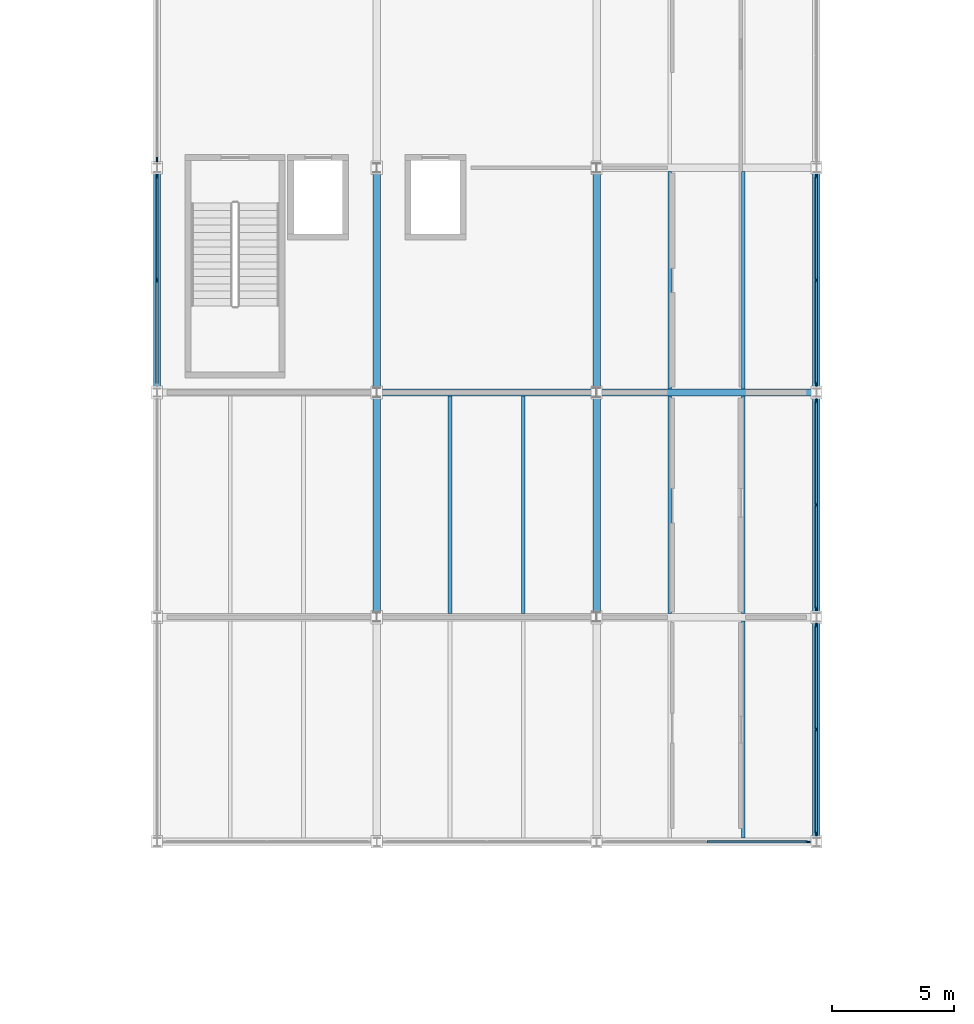
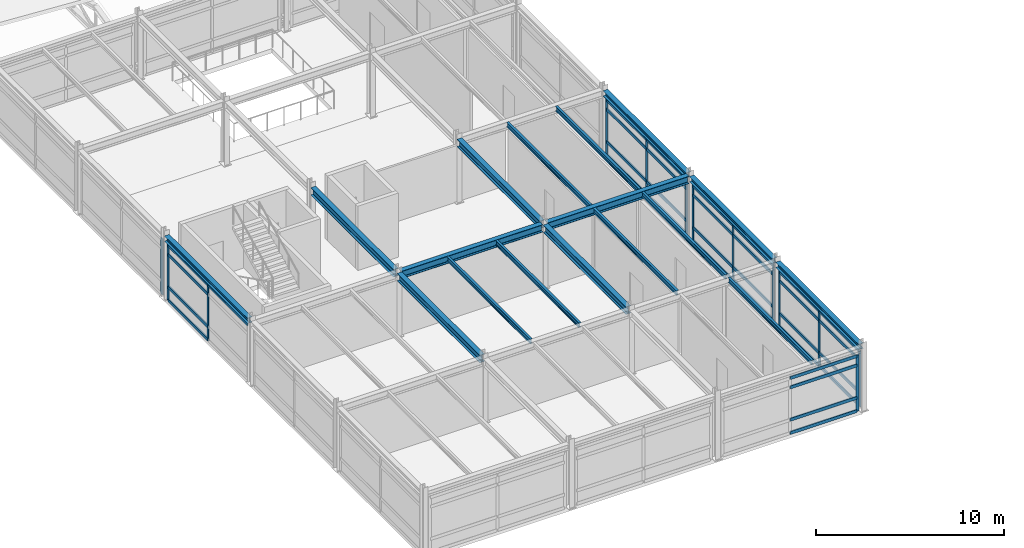
# One storey, part 18 of 55: 46 members, 17 beams, 6 elements without a shape of their own.
"""IFC4 building model written with IfcOpenShell, lengths in metres."""

from ifc_helpers import new_model, si_unit, direction, frame, origin, origin_2d, place, context, subcontext, project, spatial, rectangle, i_section, extrude, material, material_profile, profile_set, type_object, element, aggregate, save


model = new_model("IFC4")

# Units and contexts
model_context = context("Model", 3, precision=1e-05, world=origin(), true_north=direction((0.0, 1.0)))
body_context = subcontext(model_context, "Body", "Model", "MODEL_VIEW")
ifc_project = project(units=[si_unit("LENGTHUNIT", "METRE"), si_unit("AREAUNIT", "SQUARE_METRE"), si_unit("VOLUMEUNIT", "CUBIC_METRE"), si_unit("PLANEANGLEUNIT", "RADIAN"), si_unit("MASSUNIT", "GRAM", prefix="KILO")], contexts=[model_context])

# Site, building, storey
site_placement = place(None, origin())
site = spatial("IfcSite", under=ifc_project, at=site_placement, CompositionType="ELEMENT")
building_placement = place(site_placement, origin())
building = spatial("IfcBuilding", under=site, at=building_placement, Name="Bozkorgan Art Gallery", CompositionType="ELEMENT")
storey_placement = place(building_placement, frame((0.0, 0.0, 15.0)))
storey = spatial("IfcBuildingStorey", under=building, at=storey_placement, Name="L03", CompositionType="ELEMENT", Elevation=15.0)

# Beams
ifc_material_1 = material(Name="Steel S355J2", Category="steel")
ifc_material_profile_1 = material_profile(ifc_material_1, i_section(OverallWidth=0.300048828125, OverallDepth=0.489990234375, WebThickness=0.011962890625, FlangeThickness=0.02294921875, FilletRadius=0.027099609375, at=origin_2d()), Name="HEA 500")
ifc_profile_set_1 = profile_set([ifc_material_profile_1], Name="Steel S355J2")
beam_type_1 = type_object("IfcBeamType", Name="BEAM-BM-42", PredefinedType="BEAM", material=ifc_profile_set_1)
for number, where, z_axis, x_axis, name in (
    (1, (83.14990234375, 56.800048828125, 3.93505859375), (1.0, 0.0, 0.0), (0.0, 1.0, 0.0), "V4 L03 beam X (83-92, 56.8)"),
    (2, (92.14990234375, 56.800048828125, 3.93505859375), (1.0, 0.0, 0.0), (0.0, 1.0, 0.0), "V4 L03 beam X (92-101, 56.8)"),
):
    element("IfcBeam", number, at=place(storey_placement, frame(where, z_axis=z_axis, x_axis=x_axis)), inside=storey, type_object=beam_type_1, Name=name, PredefinedType="BEAM", context=body_context, shape_type="SweptSolid", body=[
        extrude(i_section(OverallWidth=0.300048828125, OverallDepth=0.489990234375, WebThickness=0.011962890625, FlangeThickness=0.02294921875, FilletRadius=0.027099609375, at=origin_2d()), origin(), (0.0, 0.0, 1.0), 8.7001953125),
    ])
beam_1_placement = place(storey_placement, frame((83.0, 47.794921875, 3.93505859375), z_axis=(0.0, 1.0, 0.0), x_axis=(-1.0, 0.0, 0.0)))
element("IfcBeam", 3, at=beam_1_placement, inside=storey, type_object=beam_type_1, Name="V4 L03 beam Y (83, 47.6-56.8)", PredefinedType="BEAM", context=body_context, shape_type="SweptSolid", body=[
    extrude(i_section(OverallWidth=0.300048828125, OverallDepth=0.489990234375, WebThickness=0.011962890625, FlangeThickness=0.02294921875, FilletRadius=0.027099609375, at=origin_2d()), origin(), (0.0, 0.0, 1.0), 8.81005859375),
])
beam_2_placement = place(storey_placement, frame((83.0, 56.9951171875, 3.93505859375), z_axis=(0.0, 1.0, 0.0), x_axis=(-1.0, 0.0, 0.0)))
element("IfcBeam", 4, at=beam_2_placement, inside=storey, type_object=beam_type_1, Name="V4 L03 beam Y (83, 56.8-66.0)", PredefinedType="BEAM", context=body_context, shape_type="SweptSolid", body=[
    extrude(i_section(OverallWidth=0.300048828125, OverallDepth=0.489990234375, WebThickness=0.011962890625, FlangeThickness=0.02294921875, FilletRadius=0.027099609375, at=origin_2d()), origin(), (0.0, 0.0, 1.0), 8.809814453125),
])
beam_3_placement = place(storey_placement, frame((92.0, 47.794921875, 3.93505859375), z_axis=(0.0, 1.0, 0.0), x_axis=(-1.0, 0.0, 0.0)))
element("IfcBeam", 5, at=beam_3_placement, inside=storey, type_object=beam_type_1, Name="V4 L03 beam Y (92, 47.6-56.8)", PredefinedType="BEAM", context=body_context, shape_type="SweptSolid", body=[
    extrude(i_section(OverallWidth=0.300048828125, OverallDepth=0.489990234375, WebThickness=0.011962890625, FlangeThickness=0.02294921875, FilletRadius=0.027099609375, at=origin_2d()), origin(), (0.0, 0.0, 1.0), 8.81005859375),
])
beam_4_placement = place(storey_placement, frame((92.0, 56.9951171875, 3.93505859375), z_axis=(0.0, 1.0, 0.0), x_axis=(-1.0, 0.0, 0.0)))
element("IfcBeam", 6, at=beam_4_placement, inside=storey, type_object=beam_type_1, Name="V4 L03 beam Y (92, 56.8-66.0)", PredefinedType="BEAM", context=body_context, shape_type="SweptSolid", body=[
    extrude(i_section(OverallWidth=0.300048828125, OverallDepth=0.489990234375, WebThickness=0.011962890625, FlangeThickness=0.02294921875, FilletRadius=0.027099609375, at=origin_2d()), origin(), (0.0, 0.0, 1.0), 8.809814453125),
])
ifc_material_profile_2 = material_profile(ifc_material_1, i_section(OverallWidth=0.14990234375, OverallDepth=0.300048828125, WebThickness=0.007080078125, FlangeThickness=0.0107421875, FilletRadius=0.014892578125, at=origin_2d()), Name="IPE 300")
ifc_profile_set_2 = profile_set([ifc_material_profile_2], Name="Steel S355J2")
beam_type_2 = type_object("IfcBeamType", Name="BEAM-JS-88", PredefinedType="JOIST", material=ifc_profile_set_2)
for number, where, z_axis, x_axis, name in (
    (7, (86.0, 47.75, 4.030029296875), (0.0, 1.0, 0.0), (-1.0, 0.0, 0.0), "V4 L03 secondary joist (83-92, 47.6-56.8) #1"),
    (8, (89.0, 47.75, 4.030029296875), (0.0, 1.0, 0.0), (-1.0, 0.0, 0.0), "V4 L03 secondary joist (83-92, 47.6-56.8) #2"),
    (9, (98.0, 38.550048828125, 4.030029296875), (0.0, 1.0, 0.0), (-1.0, 0.0, 0.0), "V4 L03 secondary joist (92-101, 38.4-47.6) #2"),
    (10, (95.0, 47.75, 4.030029296875), (0.0, 1.0, 0.0), (-1.0, 0.0, 0.0), "V4 L03 secondary joist (92-101, 47.6-56.8) #1"),
    (11, (98.0, 47.75, 4.030029296875), (0.0, 1.0, 0.0), (-1.0, 0.0, 0.0), "V4 L03 secondary joist (92-101, 47.6-56.8) #2"),
):
    element("IfcBeam", number, at=place(storey_placement, frame(where, z_axis=z_axis, x_axis=x_axis)), inside=storey, type_object=beam_type_2, Name=name, PredefinedType="JOIST", context=body_context, shape_type="SweptSolid", body=[
        extrude(i_section(OverallWidth=0.14990234375, OverallDepth=0.300048828125, WebThickness=0.007080078125, FlangeThickness=0.0107421875, FilletRadius=0.014892578125, at=origin_2d()), origin(), (0.0, 0.0, 1.0), 8.89990234375),
    ])
for number, where, z_axis, x_axis, name in (
    (12, (95.0, 56.949951171875, 4.030029296875), (0.0, 1.0, 0.0), (-1.0, 0.0, 0.0), "V4 L03 secondary joist (92-101, 56.8-66.0) #1"),
    (13, (98.0, 56.949951171875, 4.030029296875), (0.0, 1.0, 0.0), (-1.0, 0.0, 0.0), "V4 L03 secondary joist (92-101, 56.8-66.0) #2"),
):
    element("IfcBeam", number, at=place(storey_placement, frame(where, z_axis=z_axis, x_axis=x_axis)), inside=storey, type_object=beam_type_2, Name=name, PredefinedType="JOIST", context=body_context, shape_type="SweptSolid", body=[
        extrude(i_section(OverallWidth=0.14990234375, OverallDepth=0.300048828125, WebThickness=0.007080078125, FlangeThickness=0.0107421875, FilletRadius=0.014892578125, at=origin_2d()), origin(), (0.0, 0.0, 1.0), 8.900146484375),
    ])
ifc_material_profile_3 = material_profile(ifc_material_1, i_section(OverallWidth=0.300048828125, OverallDepth=0.35009765625, WebThickness=0.010009765625, FlangeThickness=0.017578125, FilletRadius=0.027099609375, at=origin_2d()), Name="HEA 360")
ifc_profile_set_3 = profile_set([ifc_material_profile_3], Name="Steel S355J2")
beam_type_3 = type_object("IfcBeamType", Name="BEAM-SP-97", PredefinedType="SPANDREL", material=ifc_profile_set_3)
beam_5_placement = place(storey_placement, frame((74.0, 56.97998046875, 4.0048828125), z_axis=(0.0, 1.0, 0.0), x_axis=(-1.0, 0.0, 0.0)))
element("IfcBeam", 14, at=beam_5_placement, inside=storey, type_object=beam_type_3, Name="V4 L03 spandrel Y (74, 56.8-66.0)", PredefinedType="SPANDREL", context=body_context, shape_type="SweptSolid", body=[
    extrude(i_section(OverallWidth=0.300048828125, OverallDepth=0.35009765625, WebThickness=0.010009765625, FlangeThickness=0.017578125, FilletRadius=0.027099609375, at=origin_2d()), origin(), (0.0, 0.0, 1.0), 8.840087890625),
])
beam_6_placement = place(storey_placement, frame((101.0, 38.580078125, 4.0048828125), z_axis=(0.0, 1.0, 0.0), x_axis=(-1.0, 0.0, 0.0)))
element("IfcBeam", 15, at=beam_6_placement, inside=storey, type_object=beam_type_3, Name="V4 L03 spandrel Y (101, 38.4-47.6)", PredefinedType="SPANDREL", context=body_context, shape_type="SweptSolid", body=[
    extrude(i_section(OverallWidth=0.300048828125, OverallDepth=0.35009765625, WebThickness=0.010009765625, FlangeThickness=0.017578125, FilletRadius=0.027099609375, at=origin_2d()), origin(), (0.0, 0.0, 1.0), 8.83984375),
])
for number, where, z_axis, x_axis, name in (
    (16, (101.0, 47.780029296875, 4.0048828125), (0.0, 1.0, 0.0), (-1.0, 0.0, 0.0), "V4 L03 spandrel Y (101, 47.6-56.8)"),
    (17, (101.0, 56.97998046875, 4.0048828125), (0.0, 1.0, 0.0), (-1.0, 0.0, 0.0), "V4 L03 spandrel Y (101, 56.8-66.0)"),
):
    element("IfcBeam", number, at=place(storey_placement, frame(where, z_axis=z_axis, x_axis=x_axis)), inside=storey, type_object=beam_type_3, Name=name, PredefinedType="SPANDREL", context=body_context, shape_type="SweptSolid", body=[
        extrude(i_section(OverallWidth=0.300048828125, OverallDepth=0.35009765625, WebThickness=0.010009765625, FlangeThickness=0.017578125, FilletRadius=0.027099609375, at=origin_2d()), origin(), (0.0, 0.0, 1.0), 8.840087890625),
    ])

# Curtain wall, member
ifc_material_2 = material(Name="Anodised Bronze Aluminium", Category="aluminium")
curtain_wall_type_1 = type_object("IfcCurtainWallType", Name="CW-CW-32", PredefinedType="NOTDEFINED", material=ifc_material_2)
curtain_wall_1_placement = place(storey_placement, origin())
curtain_wall_1 = element("IfcCurtainWall", 18, at=curtain_wall_1_placement, inside=storey, type_object=curtain_wall_type_1, Name="L03 unitised curtain wall CW-V4-L03-1S-05", PredefinedType="NOTDEFINED")
ifc_material_profile_4 = material_profile(ifc_material_2, rectangle(XDim=0.06494140625, YDim=0.179931640625, at=origin_2d()), Name="ALU MULLION 65x180")
ifc_profile_set_4 = profile_set([ifc_material_profile_4], Name="Anodised Bronze Aluminium")
member_type_1 = type_object("IfcMemberType", Name="CWM-01", PredefinedType="MULLION", material=ifc_profile_set_4)
member_1_placement = place(storey_placement, frame((100.652587890625, 38.39990234375, 0.02001953125), z_axis=(0.0, 0.0, 1.0), x_axis=(0.0, 1.0, 0.0)))
member_1 = element("IfcMember", 19, at=member_1_placement, type_object=member_type_1, Name="CW-32 mullion 3", PredefinedType="MULLION", context=body_context, shape_type="SweptSolid", body=[
    extrude(rectangle(XDim=0.06494140625, YDim=0.179931640625, at=origin_2d()), origin(), (0.0, 0.0, 1.0), 3.655029296875),
])

# Curtain wall, members
curtain_wall_type_2 = type_object("IfcCurtainWallType", Name="CW-CW-59", PredefinedType="NOTDEFINED", material=ifc_material_2)
curtain_wall_2_placement = place(storey_placement, origin())
curtain_wall_2 = element("IfcCurtainWall", 20, at=curtain_wall_2_placement, inside=storey, type_object=curtain_wall_type_2, Name="L03 unitised curtain wall CW-V4-L03-1E-08", PredefinedType="NOTDEFINED")
member_2_placement = place(storey_placement, frame((101.0, 38.74755859375, 0.02001953125), z_axis=(0.0, 0.0, 1.0), x_axis=(-1.0, 0.0, 0.0)))
member_2 = element("IfcMember", 21, at=member_2_placement, type_object=member_type_1, Name="CW-59 mullion 1", PredefinedType="MULLION", context=body_context, shape_type="SweptSolid", body=[
    extrude(rectangle(XDim=0.06494140625, YDim=0.179931640625, at=origin_2d()), origin(), (0.0, 0.0, 1.0), 3.655029296875),
])
member_3_placement = place(storey_placement, frame((101.0, 43.0, 0.02001953125), z_axis=(0.0, 0.0, 1.0), x_axis=(-1.0, 0.0, 0.0)))
member_3 = element("IfcMember", 22, at=member_3_placement, type_object=member_type_1, Name="CW-59 mullion 2", PredefinedType="MULLION", context=body_context, shape_type="SweptSolid", body=[
    extrude(rectangle(XDim=0.06494140625, YDim=0.179931640625, at=origin_2d()), origin(), (0.0, 0.0, 1.0), 3.655029296875),
])
member_4_placement = place(storey_placement, frame((101.0, 47.25244140625, 0.02001953125), z_axis=(0.0, 0.0, 1.0), x_axis=(-1.0, 0.0, 0.0)))
member_4 = element("IfcMember", 23, at=member_4_placement, type_object=member_type_1, Name="CW-59 mullion 3", PredefinedType="MULLION", context=body_context, shape_type="SweptSolid", body=[
    extrude(rectangle(XDim=0.06494140625, YDim=0.179931640625, at=origin_2d()), origin(), (0.0, 0.0, 1.0), 3.655029296875),
])

curtain_wall_3_placement = place(storey_placement, origin())
curtain_wall_3 = element("IfcCurtainWall", 24, at=curtain_wall_3_placement, inside=storey, type_object=curtain_wall_type_2, Name="L03 unitised curtain wall CW-V4-L03-1E-10", PredefinedType="NOTDEFINED")
member_5_placement = place(storey_placement, frame((101.0, 47.947509765625, 0.02001953125), z_axis=(0.0, 0.0, 1.0), x_axis=(-1.0, 0.0, 0.0)))
member_5 = element("IfcMember", 25, at=member_5_placement, type_object=member_type_1, Name="CW-59 mullion 1", PredefinedType="MULLION", context=body_context, shape_type="SweptSolid", body=[
    extrude(rectangle(XDim=0.06494140625, YDim=0.179931640625, at=origin_2d()), origin(), (0.0, 0.0, 1.0), 3.655029296875),
])
member_6_placement = place(storey_placement, frame((101.0, 52.199951171875, 0.02001953125), z_axis=(0.0, 0.0, 1.0), x_axis=(-1.0, 0.0, 0.0)))
member_6 = element("IfcMember", 26, at=member_6_placement, type_object=member_type_1, Name="CW-59 mullion 2", PredefinedType="MULLION", context=body_context, shape_type="SweptSolid", body=[
    extrude(rectangle(XDim=0.06494140625, YDim=0.179931640625, at=origin_2d()), origin(), (0.0, 0.0, 1.0), 3.655029296875),
])
member_7_placement = place(storey_placement, frame((101.0, 56.452392578125, 0.02001953125), z_axis=(0.0, 0.0, 1.0), x_axis=(-1.0, 0.0, 0.0)))
member_7 = element("IfcMember", 27, at=member_7_placement, type_object=member_type_1, Name="CW-59 mullion 3", PredefinedType="MULLION", context=body_context, shape_type="SweptSolid", body=[
    extrude(rectangle(XDim=0.06494140625, YDim=0.179931640625, at=origin_2d()), origin(), (0.0, 0.0, 1.0), 3.655029296875),
])

curtain_wall_4_placement = place(storey_placement, origin())
curtain_wall_4 = element("IfcCurtainWall", 28, at=curtain_wall_4_placement, inside=storey, type_object=curtain_wall_type_2, Name="L03 unitised curtain wall CW-V4-L03-1W-11", PredefinedType="NOTDEFINED")
member_8_placement = place(storey_placement, frame((74.0, 61.39990234375, 0.02001953125), z_axis=(0.0, 0.0, 1.0), x_axis=(-1.0, 0.0, 0.0)))
member_8 = element("IfcMember", 29, at=member_8_placement, type_object=member_type_1, Name="CW-59 mullion 2", PredefinedType="MULLION", context=body_context, shape_type="SweptSolid", body=[
    extrude(rectangle(XDim=0.06494140625, YDim=0.179931640625, at=origin_2d()), origin(), (0.0, 0.0, 1.0), 3.655029296875),
])
member_9_placement = place(storey_placement, frame((74.0, 65.652587890625, 0.02001953125), z_axis=(0.0, 0.0, 1.0), x_axis=(-1.0, 0.0, 0.0)))
member_9 = element("IfcMember", 30, at=member_9_placement, type_object=member_type_1, Name="CW-59 mullion 3", PredefinedType="MULLION", context=body_context, shape_type="SweptSolid", body=[
    extrude(rectangle(XDim=0.06494140625, YDim=0.179931640625, at=origin_2d()), origin(), (0.0, 0.0, 1.0), 3.655029296875),
])

curtain_wall_5_placement = place(storey_placement, origin())
curtain_wall_5 = element("IfcCurtainWall", 31, at=curtain_wall_5_placement, inside=storey, type_object=curtain_wall_type_2, Name="L03 unitised curtain wall CW-V4-L03-1E-12", PredefinedType="NOTDEFINED")
member_10_placement = place(storey_placement, frame((101.0, 57.1474609375, 0.02001953125), z_axis=(0.0, 0.0, 1.0), x_axis=(-1.0, 0.0, 0.0)))
member_10 = element("IfcMember", 32, at=member_10_placement, type_object=member_type_1, Name="CW-59 mullion 1", PredefinedType="MULLION", context=body_context, shape_type="SweptSolid", body=[
    extrude(rectangle(XDim=0.06494140625, YDim=0.179931640625, at=origin_2d()), origin(), (0.0, 0.0, 1.0), 3.655029296875),
])
member_11_placement = place(storey_placement, frame((101.0, 61.39990234375, 0.02001953125), z_axis=(0.0, 0.0, 1.0), x_axis=(-1.0, 0.0, 0.0)))
member_11 = element("IfcMember", 33, at=member_11_placement, type_object=member_type_1, Name="CW-59 mullion 2", PredefinedType="MULLION", context=body_context, shape_type="SweptSolid", body=[
    extrude(rectangle(XDim=0.06494140625, YDim=0.179931640625, at=origin_2d()), origin(), (0.0, 0.0, 1.0), 3.655029296875),
])
member_12_placement = place(storey_placement, frame((101.0, 65.652587890625, 0.02001953125), z_axis=(0.0, 0.0, 1.0), x_axis=(-1.0, 0.0, 0.0)))
member_12 = element("IfcMember", 34, at=member_12_placement, type_object=member_type_1, Name="CW-59 mullion 3", PredefinedType="MULLION", context=body_context, shape_type="SweptSolid", body=[
    extrude(rectangle(XDim=0.06494140625, YDim=0.179931640625, at=origin_2d()), origin(), (0.0, 0.0, 1.0), 3.655029296875),
])

# Curtain wall, member
curtain_wall_6_placement = place(storey_placement, origin())
curtain_wall_6 = element("IfcCurtainWall", 35, at=curtain_wall_6_placement, inside=storey, type_object=curtain_wall_type_2, Name="L03 unitised curtain wall CW-V4-L03-1W-13", PredefinedType="NOTDEFINED")
member_13_placement = place(storey_placement, frame((74.0, 66.347412109375, 0.02001953125), z_axis=(0.0, 0.0, 1.0), x_axis=(-1.0, 0.0, 0.0)))
member_13 = element("IfcMember", 36, at=member_13_placement, type_object=member_type_1, Name="CW-59 mullion 1", PredefinedType="MULLION", context=body_context, shape_type="SweptSolid", body=[
    extrude(rectangle(XDim=0.06494140625, YDim=0.179931640625, at=origin_2d()), origin(), (0.0, 0.0, 1.0), 3.655029296875),
])
aggregate(curtain_wall_6, [member_13])

# Member
ifc_material_profile_5 = material_profile(ifc_material_2, rectangle(XDim=0.080078125, YDim=0.199951171875, at=origin_2d()), Name="ALU TRANSOM 80x200")
ifc_profile_set_5 = profile_set([ifc_material_profile_5], Name="Anodised Bronze Aluminium")
member_type_2 = type_object("IfcMemberType", Name="CWT-03", PredefinedType="USERDEFINED", material=ifc_profile_set_5)
member_14_placement = place(storey_placement, frame((96.532470703125, 38.39990234375, 0.06005859375), z_axis=(1.0, 0.0, 0.0), x_axis=(0.0, 1.0, 0.0)))
member_14 = element("IfcMember", 37, at=member_14_placement, type_object=member_type_2, Name="CW-32 transom 2.1", ObjectType="TRANSOM", PredefinedType="USERDEFINED", context=body_context, shape_type="SweptSolid", body=[
    extrude(rectangle(XDim=0.080078125, YDim=0.199951171875, at=origin_2d()), origin(), (0.0, 0.0, 1.0), 4.087646484375),
])

member_15_placement = place(storey_placement, frame((96.532470703125, 38.39990234375, 0.919921875), z_axis=(1.0, 0.0, 0.0), x_axis=(0.0, 1.0, 0.0)))
member_15 = element("IfcMember", 38, at=member_15_placement, type_object=member_type_2, Name="CW-32 transom 2.2", ObjectType="TRANSOM", PredefinedType="USERDEFINED", context=body_context, shape_type="SweptSolid", body=[
    extrude(rectangle(XDim=0.080078125, YDim=0.199951171875, at=origin_2d()), origin(), (0.0, 0.0, 1.0), 4.087646484375),
])

member_16_placement = place(storey_placement, frame((96.532470703125, 38.39990234375, 3.02490234375), z_axis=(1.0, 0.0, 0.0), x_axis=(0.0, 1.0, 0.0)))
member_16 = element("IfcMember", 39, at=member_16_placement, type_object=member_type_2, Name="CW-32 transom 2.3", ObjectType="TRANSOM", PredefinedType="USERDEFINED", context=body_context, shape_type="SweptSolid", body=[
    extrude(rectangle(XDim=0.080078125, YDim=0.199951171875, at=origin_2d()), origin(), (0.0, 0.0, 1.0), 4.087646484375),
])

member_17_placement = place(storey_placement, frame((96.532470703125, 38.39990234375, 3.635009765625), z_axis=(1.0, 0.0, 0.0), x_axis=(0.0, 1.0, 0.0)))
member_17 = element("IfcMember", 40, at=member_17_placement, type_object=member_type_2, Name="CW-32 transom 2.4", ObjectType="TRANSOM", PredefinedType="USERDEFINED", context=body_context, shape_type="SweptSolid", body=[
    extrude(rectangle(XDim=0.080078125, YDim=0.199951171875, at=origin_2d()), origin(), (0.0, 0.0, 1.0), 4.087646484375),
])

aggregate(curtain_wall_1, [member_1, member_14, member_15, member_16, member_17])

member_18_placement = place(storey_placement, frame((101.0, 38.780029296875, 0.06005859375), z_axis=(0.0, 1.0, 0.0), x_axis=(-1.0, 0.0, 0.0)))
member_18 = element("IfcMember", 41, at=member_18_placement, type_object=member_type_2, Name="CW-59 transom 1.1", ObjectType="TRANSOM", PredefinedType="USERDEFINED", context=body_context, shape_type="SweptSolid", body=[
    extrude(rectangle(XDim=0.080078125, YDim=0.199951171875, at=origin_2d()), origin(), (0.0, 0.0, 1.0), 4.1875),
])

member_19_placement = place(storey_placement, frame((101.0, 38.780029296875, 0.919921875), z_axis=(0.0, 1.0, 0.0), x_axis=(-1.0, 0.0, 0.0)))
member_19 = element("IfcMember", 42, at=member_19_placement, type_object=member_type_2, Name="CW-59 transom 1.2", ObjectType="TRANSOM", PredefinedType="USERDEFINED", context=body_context, shape_type="SweptSolid", body=[
    extrude(rectangle(XDim=0.080078125, YDim=0.199951171875, at=origin_2d()), origin(), (0.0, 0.0, 1.0), 4.1875),
])

member_20_placement = place(storey_placement, frame((101.0, 38.780029296875, 3.02490234375), z_axis=(0.0, 1.0, 0.0), x_axis=(-1.0, 0.0, 0.0)))
member_20 = element("IfcMember", 43, at=member_20_placement, type_object=member_type_2, Name="CW-59 transom 1.3", ObjectType="TRANSOM", PredefinedType="USERDEFINED", context=body_context, shape_type="SweptSolid", body=[
    extrude(rectangle(XDim=0.080078125, YDim=0.199951171875, at=origin_2d()), origin(), (0.0, 0.0, 1.0), 4.1875),
])

member_21_placement = place(storey_placement, frame((101.0, 38.780029296875, 3.635009765625), z_axis=(0.0, 1.0, 0.0), x_axis=(-1.0, 0.0, 0.0)))
member_21 = element("IfcMember", 44, at=member_21_placement, type_object=member_type_2, Name="CW-59 transom 1.4", ObjectType="TRANSOM", PredefinedType="USERDEFINED", context=body_context, shape_type="SweptSolid", body=[
    extrude(rectangle(XDim=0.080078125, YDim=0.199951171875, at=origin_2d()), origin(), (0.0, 0.0, 1.0), 4.1875),
])

member_22_placement = place(storey_placement, frame((101.0, 43.032470703125, 0.06005859375), z_axis=(0.0, 1.0, 0.0), x_axis=(-1.0, 0.0, 0.0)))
member_22 = element("IfcMember", 45, at=member_22_placement, type_object=member_type_2, Name="CW-59 transom 2.1", ObjectType="TRANSOM", PredefinedType="USERDEFINED", context=body_context, shape_type="SweptSolid", body=[
    extrude(rectangle(XDim=0.080078125, YDim=0.199951171875, at=origin_2d()), origin(), (0.0, 0.0, 1.0), 4.1875),
])

member_23_placement = place(storey_placement, frame((101.0, 43.032470703125, 0.919921875), z_axis=(0.0, 1.0, 0.0), x_axis=(-1.0, 0.0, 0.0)))
member_23 = element("IfcMember", 46, at=member_23_placement, type_object=member_type_2, Name="CW-59 transom 2.2", ObjectType="TRANSOM", PredefinedType="USERDEFINED", context=body_context, shape_type="SweptSolid", body=[
    extrude(rectangle(XDim=0.080078125, YDim=0.199951171875, at=origin_2d()), origin(), (0.0, 0.0, 1.0), 4.1875),
])

member_24_placement = place(storey_placement, frame((101.0, 43.032470703125, 3.02490234375), z_axis=(0.0, 1.0, 0.0), x_axis=(-1.0, 0.0, 0.0)))
member_24 = element("IfcMember", 47, at=member_24_placement, type_object=member_type_2, Name="CW-59 transom 2.3", ObjectType="TRANSOM", PredefinedType="USERDEFINED", context=body_context, shape_type="SweptSolid", body=[
    extrude(rectangle(XDim=0.080078125, YDim=0.199951171875, at=origin_2d()), origin(), (0.0, 0.0, 1.0), 4.1875),
])

member_25_placement = place(storey_placement, frame((101.0, 43.032470703125, 3.635009765625), z_axis=(0.0, 1.0, 0.0), x_axis=(-1.0, 0.0, 0.0)))
member_25 = element("IfcMember", 48, at=member_25_placement, type_object=member_type_2, Name="CW-59 transom 2.4", ObjectType="TRANSOM", PredefinedType="USERDEFINED", context=body_context, shape_type="SweptSolid", body=[
    extrude(rectangle(XDim=0.080078125, YDim=0.199951171875, at=origin_2d()), origin(), (0.0, 0.0, 1.0), 4.1875),
])

aggregate(curtain_wall_2, [member_2, member_3, member_4, member_18, member_19, member_20, member_21, member_22, member_23, member_24, member_25])

member_26_placement = place(storey_placement, frame((101.0, 47.97998046875, 0.06005859375), z_axis=(0.0, 1.0, 0.0), x_axis=(-1.0, 0.0, 0.0)))
member_26 = element("IfcMember", 49, at=member_26_placement, type_object=member_type_2, Name="CW-59 transom 1.1", ObjectType="TRANSOM", PredefinedType="USERDEFINED", context=body_context, shape_type="SweptSolid", body=[
    extrude(rectangle(XDim=0.080078125, YDim=0.199951171875, at=origin_2d()), origin(), (0.0, 0.0, 1.0), 4.1875),
])

member_27_placement = place(storey_placement, frame((101.0, 47.97998046875, 0.919921875), z_axis=(0.0, 1.0, 0.0), x_axis=(-1.0, 0.0, 0.0)))
member_27 = element("IfcMember", 50, at=member_27_placement, type_object=member_type_2, Name="CW-59 transom 1.2", ObjectType="TRANSOM", PredefinedType="USERDEFINED", context=body_context, shape_type="SweptSolid", body=[
    extrude(rectangle(XDim=0.080078125, YDim=0.199951171875, at=origin_2d()), origin(), (0.0, 0.0, 1.0), 4.1875),
])

member_28_placement = place(storey_placement, frame((101.0, 47.97998046875, 3.02490234375), z_axis=(0.0, 1.0, 0.0), x_axis=(-1.0, 0.0, 0.0)))
member_28 = element("IfcMember", 51, at=member_28_placement, type_object=member_type_2, Name="CW-59 transom 1.3", ObjectType="TRANSOM", PredefinedType="USERDEFINED", context=body_context, shape_type="SweptSolid", body=[
    extrude(rectangle(XDim=0.080078125, YDim=0.199951171875, at=origin_2d()), origin(), (0.0, 0.0, 1.0), 4.1875),
])

member_29_placement = place(storey_placement, frame((101.0, 47.97998046875, 3.635009765625), z_axis=(0.0, 1.0, 0.0), x_axis=(-1.0, 0.0, 0.0)))
member_29 = element("IfcMember", 52, at=member_29_placement, type_object=member_type_2, Name="CW-59 transom 1.4", ObjectType="TRANSOM", PredefinedType="USERDEFINED", context=body_context, shape_type="SweptSolid", body=[
    extrude(rectangle(XDim=0.080078125, YDim=0.199951171875, at=origin_2d()), origin(), (0.0, 0.0, 1.0), 4.1875),
])

member_30_placement = place(storey_placement, frame((101.0, 52.232421875, 0.06005859375), z_axis=(0.0, 1.0, 0.0), x_axis=(-1.0, 0.0, 0.0)))
member_30 = element("IfcMember", 53, at=member_30_placement, type_object=member_type_2, Name="CW-59 transom 2.1", ObjectType="TRANSOM", PredefinedType="USERDEFINED", context=body_context, shape_type="SweptSolid", body=[
    extrude(rectangle(XDim=0.080078125, YDim=0.199951171875, at=origin_2d()), origin(), (0.0, 0.0, 1.0), 4.1875),
])

member_31_placement = place(storey_placement, frame((101.0, 52.232421875, 0.919921875), z_axis=(0.0, 1.0, 0.0), x_axis=(-1.0, 0.0, 0.0)))
member_31 = element("IfcMember", 54, at=member_31_placement, type_object=member_type_2, Name="CW-59 transom 2.2", ObjectType="TRANSOM", PredefinedType="USERDEFINED", context=body_context, shape_type="SweptSolid", body=[
    extrude(rectangle(XDim=0.080078125, YDim=0.199951171875, at=origin_2d()), origin(), (0.0, 0.0, 1.0), 4.1875),
])

member_32_placement = place(storey_placement, frame((101.0, 52.232421875, 3.02490234375), z_axis=(0.0, 1.0, 0.0), x_axis=(-1.0, 0.0, 0.0)))
member_32 = element("IfcMember", 55, at=member_32_placement, type_object=member_type_2, Name="CW-59 transom 2.3", ObjectType="TRANSOM", PredefinedType="USERDEFINED", context=body_context, shape_type="SweptSolid", body=[
    extrude(rectangle(XDim=0.080078125, YDim=0.199951171875, at=origin_2d()), origin(), (0.0, 0.0, 1.0), 4.1875),
])

member_33_placement = place(storey_placement, frame((101.0, 52.232421875, 3.635009765625), z_axis=(0.0, 1.0, 0.0), x_axis=(-1.0, 0.0, 0.0)))
member_33 = element("IfcMember", 56, at=member_33_placement, type_object=member_type_2, Name="CW-59 transom 2.4", ObjectType="TRANSOM", PredefinedType="USERDEFINED", context=body_context, shape_type="SweptSolid", body=[
    extrude(rectangle(XDim=0.080078125, YDim=0.199951171875, at=origin_2d()), origin(), (0.0, 0.0, 1.0), 4.1875),
])

aggregate(curtain_wall_3, [member_5, member_6, member_7, member_26, member_27, member_28, member_29, member_30, member_31, member_32, member_33])

member_34_placement = place(storey_placement, frame((74.0, 57.179931640625, 3.635009765625), z_axis=(0.0, 1.0, 0.0), x_axis=(-1.0, 0.0, 0.0)))
member_34 = element("IfcMember", 57, at=member_34_placement, type_object=member_type_2, Name="CW-59 transom 1.4", ObjectType="TRANSOM", PredefinedType="USERDEFINED", context=body_context, shape_type="SweptSolid", body=[
    extrude(rectangle(XDim=0.080078125, YDim=0.199951171875, at=origin_2d()), origin(), (0.0, 0.0, 1.0), 4.1875),
])

member_35_placement = place(storey_placement, frame((74.0, 61.4326171875, 0.06005859375), z_axis=(0.0, 1.0, 0.0), x_axis=(-1.0, 0.0, 0.0)))
member_35 = element("IfcMember", 58, at=member_35_placement, type_object=member_type_2, Name="CW-59 transom 2.1", ObjectType="TRANSOM", PredefinedType="USERDEFINED", context=body_context, shape_type="SweptSolid", body=[
    extrude(rectangle(XDim=0.080078125, YDim=0.199951171875, at=origin_2d()), origin(), (0.0, 0.0, 1.0), 4.1875),
])

member_36_placement = place(storey_placement, frame((74.0, 61.4326171875, 0.919921875), z_axis=(0.0, 1.0, 0.0), x_axis=(-1.0, 0.0, 0.0)))
member_36 = element("IfcMember", 59, at=member_36_placement, type_object=member_type_2, Name="CW-59 transom 2.2", ObjectType="TRANSOM", PredefinedType="USERDEFINED", context=body_context, shape_type="SweptSolid", body=[
    extrude(rectangle(XDim=0.080078125, YDim=0.199951171875, at=origin_2d()), origin(), (0.0, 0.0, 1.0), 4.1875),
])

member_37_placement = place(storey_placement, frame((74.0, 61.4326171875, 3.02490234375), z_axis=(0.0, 1.0, 0.0), x_axis=(-1.0, 0.0, 0.0)))
member_37 = element("IfcMember", 60, at=member_37_placement, type_object=member_type_2, Name="CW-59 transom 2.3", ObjectType="TRANSOM", PredefinedType="USERDEFINED", context=body_context, shape_type="SweptSolid", body=[
    extrude(rectangle(XDim=0.080078125, YDim=0.199951171875, at=origin_2d()), origin(), (0.0, 0.0, 1.0), 4.1875),
])

member_38_placement = place(storey_placement, frame((74.0, 61.4326171875, 3.635009765625), z_axis=(0.0, 1.0, 0.0), x_axis=(-1.0, 0.0, 0.0)))
member_38 = element("IfcMember", 61, at=member_38_placement, type_object=member_type_2, Name="CW-59 transom 2.4", ObjectType="TRANSOM", PredefinedType="USERDEFINED", context=body_context, shape_type="SweptSolid", body=[
    extrude(rectangle(XDim=0.080078125, YDim=0.199951171875, at=origin_2d()), origin(), (0.0, 0.0, 1.0), 4.1875),
])

aggregate(curtain_wall_4, [member_8, member_9, member_34, member_35, member_36, member_37, member_38])

member_39_placement = place(storey_placement, frame((101.0, 57.179931640625, 0.06005859375), z_axis=(0.0, 1.0, 0.0), x_axis=(-1.0, 0.0, 0.0)))
member_39 = element("IfcMember", 62, at=member_39_placement, type_object=member_type_2, Name="CW-59 transom 1.1", ObjectType="TRANSOM", PredefinedType="USERDEFINED", context=body_context, shape_type="SweptSolid", body=[
    extrude(rectangle(XDim=0.080078125, YDim=0.199951171875, at=origin_2d()), origin(), (0.0, 0.0, 1.0), 4.1875),
])

member_40_placement = place(storey_placement, frame((101.0, 57.179931640625, 0.919921875), z_axis=(0.0, 1.0, 0.0), x_axis=(-1.0, 0.0, 0.0)))
member_40 = element("IfcMember", 63, at=member_40_placement, type_object=member_type_2, Name="CW-59 transom 1.2", ObjectType="TRANSOM", PredefinedType="USERDEFINED", context=body_context, shape_type="SweptSolid", body=[
    extrude(rectangle(XDim=0.080078125, YDim=0.199951171875, at=origin_2d()), origin(), (0.0, 0.0, 1.0), 4.1875),
])

member_41_placement = place(storey_placement, frame((101.0, 57.179931640625, 3.02490234375), z_axis=(0.0, 1.0, 0.0), x_axis=(-1.0, 0.0, 0.0)))
member_41 = element("IfcMember", 64, at=member_41_placement, type_object=member_type_2, Name="CW-59 transom 1.3", ObjectType="TRANSOM", PredefinedType="USERDEFINED", context=body_context, shape_type="SweptSolid", body=[
    extrude(rectangle(XDim=0.080078125, YDim=0.199951171875, at=origin_2d()), origin(), (0.0, 0.0, 1.0), 4.1875),
])

member_42_placement = place(storey_placement, frame((101.0, 57.179931640625, 3.635009765625), z_axis=(0.0, 1.0, 0.0), x_axis=(-1.0, 0.0, 0.0)))
member_42 = element("IfcMember", 65, at=member_42_placement, type_object=member_type_2, Name="CW-59 transom 1.4", ObjectType="TRANSOM", PredefinedType="USERDEFINED", context=body_context, shape_type="SweptSolid", body=[
    extrude(rectangle(XDim=0.080078125, YDim=0.199951171875, at=origin_2d()), origin(), (0.0, 0.0, 1.0), 4.1875),
])

member_43_placement = place(storey_placement, frame((101.0, 61.4326171875, 0.06005859375), z_axis=(0.0, 1.0, 0.0), x_axis=(-1.0, 0.0, 0.0)))
member_43 = element("IfcMember", 66, at=member_43_placement, type_object=member_type_2, Name="CW-59 transom 2.1", ObjectType="TRANSOM", PredefinedType="USERDEFINED", context=body_context, shape_type="SweptSolid", body=[
    extrude(rectangle(XDim=0.080078125, YDim=0.199951171875, at=origin_2d()), origin(), (0.0, 0.0, 1.0), 4.1875),
])

member_44_placement = place(storey_placement, frame((101.0, 61.4326171875, 0.919921875), z_axis=(0.0, 1.0, 0.0), x_axis=(-1.0, 0.0, 0.0)))
member_44 = element("IfcMember", 67, at=member_44_placement, type_object=member_type_2, Name="CW-59 transom 2.2", ObjectType="TRANSOM", PredefinedType="USERDEFINED", context=body_context, shape_type="SweptSolid", body=[
    extrude(rectangle(XDim=0.080078125, YDim=0.199951171875, at=origin_2d()), origin(), (0.0, 0.0, 1.0), 4.1875),
])

member_45_placement = place(storey_placement, frame((101.0, 61.4326171875, 3.02490234375), z_axis=(0.0, 1.0, 0.0), x_axis=(-1.0, 0.0, 0.0)))
member_45 = element("IfcMember", 68, at=member_45_placement, type_object=member_type_2, Name="CW-59 transom 2.3", ObjectType="TRANSOM", PredefinedType="USERDEFINED", context=body_context, shape_type="SweptSolid", body=[
    extrude(rectangle(XDim=0.080078125, YDim=0.199951171875, at=origin_2d()), origin(), (0.0, 0.0, 1.0), 4.1875),
])

member_46_placement = place(storey_placement, frame((101.0, 61.4326171875, 3.635009765625), z_axis=(0.0, 1.0, 0.0), x_axis=(-1.0, 0.0, 0.0)))
member_46 = element("IfcMember", 69, at=member_46_placement, type_object=member_type_2, Name="CW-59 transom 2.4", ObjectType="TRANSOM", PredefinedType="USERDEFINED", context=body_context, shape_type="SweptSolid", body=[
    extrude(rectangle(XDim=0.080078125, YDim=0.199951171875, at=origin_2d()), origin(), (0.0, 0.0, 1.0), 4.1875),
])

aggregate(curtain_wall_5, [member_10, member_11, member_12, member_39, member_40, member_41, member_42, member_43, member_44, member_45, member_46])

save(model, "model.ifc")
